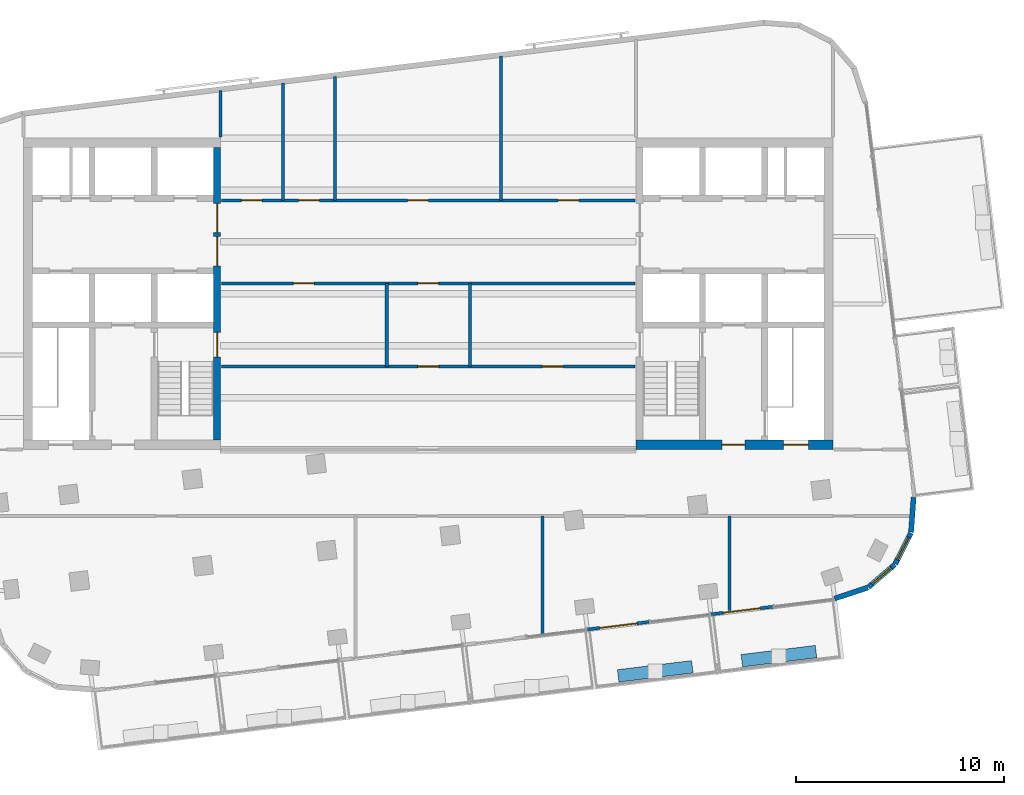
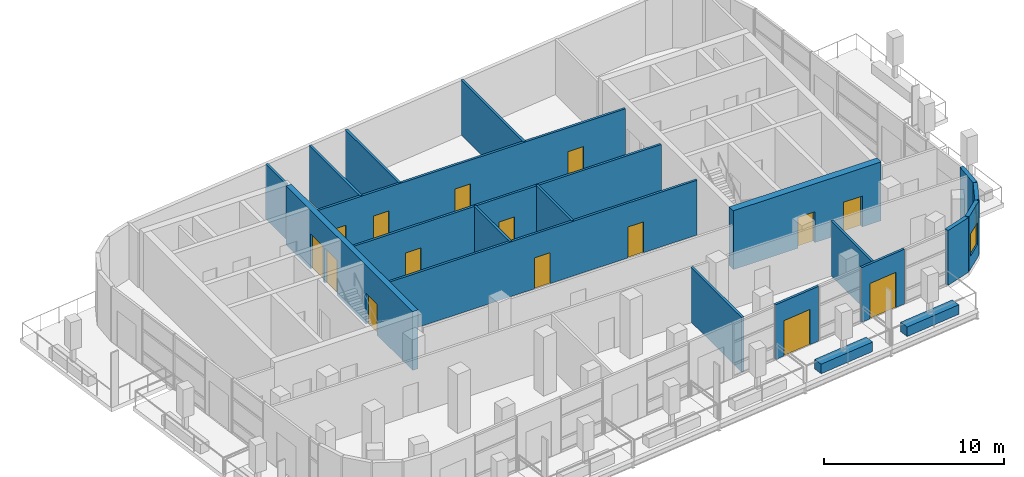
# One storey, part 8 of 13: 21 walls, 15 doors, 2 windows, 17 openings.
"""IFC4 building model written with IfcOpenShell, lengths in metres."""

from ifc_helpers import new_model, si_unit, direction, frame, frame_2d, origin, place, context, subcontext, project, spatial, rectangle, extrude, material, layer, layer_set, type_object, element, fill, save


model = new_model("IFC4")

# Units and contexts
model_context = context("Model", 3, precision=1e-05, world=origin(), true_north=direction((0.0, 1.0)))
body_context = subcontext(model_context, "Body", "Model", "MODEL_VIEW")
ifc_project = project(units=[si_unit("LENGTHUNIT", "METRE"), si_unit("AREAUNIT", "SQUARE_METRE"), si_unit("VOLUMEUNIT", "CUBIC_METRE"), si_unit("PLANEANGLEUNIT", "RADIAN"), si_unit("MASSUNIT", "GRAM", prefix="KILO")], contexts=[model_context])

# Site, building, storey
site_placement = place(None, origin())
site = spatial("IfcSite", under=ifc_project, at=site_placement, CompositionType="ELEMENT")
building_placement = place(site_placement, origin())
building = spatial("IfcBuilding", under=site, at=building_placement, Name="Torana Hotel and Residences", CompositionType="ELEMENT")
storey_placement = place(building_placement, frame((0.0, 0.0, 342.60009765625)))
storey = spatial("IfcBuildingStorey", under=building, at=storey_placement, Name="L90", CompositionType="ELEMENT", Elevation=342.60009765625)

# Wall, openings, doors
ifc_material_1 = material(Name="Concrete C60/75", Category="concrete")
ifc_layer_1 = layer(ifc_material_1, 0.35009765625)
ifc_layer_set_1 = layer_set([ifc_layer_1], Name="CORE WALL 350 C60/75")
wall_type_1 = type_object("IfcWallType", Name="CORE WALL 350 C60/75", PredefinedType="SHEAR", material=ifc_layer_set_1)
wall_1_placement = place(storey_placement, frame((-10.175048828125, -14.550048828125, 0.0), z_axis=(0.0, 0.0, 1.0), x_axis=(0.0, 1.0, 0.0)))
wall_1 = element("IfcWall", 1, at=wall_1_placement, inside=storey, type_object=wall_type_1, Name="Core wall W arch", PredefinedType="SHEAR", context=body_context, shape_type="SweptSolid", body=[
    extrude(rectangle(XDim=14.10009765625, YDim=0.35009765625, at=frame_2d((7.050048828125, 0.0))), origin(), (0.0, 0.0, 1.0), 4.0),
])
opening_1_placement = place(wall_1_placement, frame((8.39990234375, 0.0, 0.0)))
opening_1 = element("IfcOpeningElement", 2, at=opening_1_placement, cuts=wall_1, Name="Opening L90-01", PredefinedType="OPENING", context=body_context, shape_type="SweptSolid", body=[
    extrude(rectangle(XDim=1.39990234375, YDim=2.39990234375, at=frame_2d((0.699951171875, 1.199951171875))), frame((0.0, 0.18505859375, 0.0), z_axis=(0.0, -1.0, 0.0), x_axis=(1.0, 0.0, 0.0)), (0.0, 0.0, 1.0), 0.3701171875),
])
opening_2_placement = place(wall_1_placement, frame((10.0, 0.0, 0.0)))
opening_2 = element("IfcOpeningElement", 3, at=opening_2_placement, cuts=wall_1, Name="Opening L90-02", PredefinedType="OPENING", context=body_context, shape_type="SweptSolid", body=[
    extrude(rectangle(XDim=1.39990234375, YDim=2.39990234375, at=frame_2d((0.699951171875, 1.199951171875))), frame((0.0, 0.18505859375, 0.0), z_axis=(0.0, -1.0, 0.0), x_axis=(1.0, 0.0, 0.0)), (0.0, 0.0, 1.0), 0.3701171875),
])
opening_3_placement = place(wall_1_placement, frame((4.0, 0.0, 0.0)))
opening_3 = element("IfcOpeningElement", 4, at=opening_3_placement, cuts=wall_1, Name="Opening L90-03", PredefinedType="OPENING", context=body_context, shape_type="SweptSolid", body=[
    extrude(rectangle(XDim=1.199951171875, YDim=2.10009765625, at=frame_2d((0.60009765625, 1.050048828125))), frame((0.0, 0.18505859375, 0.0), z_axis=(0.0, -1.0, 0.0), x_axis=(1.0, 0.0, 0.0)), (0.0, 0.0, 1.0), 0.3701171875),
])
ifc_material_2 = material(Name="Steel S235", Category="steel")
door_type_1 = type_object("IfcDoorType", Name="LOBBY FIRE DOOR D4 1400x2400", OperationType="DOUBLE_DOOR_SINGLE_SWING", PredefinedType="DOOR", material=ifc_material_2)
door_1_placement = place(opening_1_placement, origin())
door_1 = element("IfcDoor", 5, at=door_1_placement, inside=storey, type_object=door_type_1, Name="Lobby-1 door L90", OperationType="DOUBLE_DOOR_SINGLE_SWING", OverallHeight=2.39990234375, OverallWidth=1.39990234375, PredefinedType="DOOR", context=body_context, shape_type="SweptSolid", body=[
    extrude(rectangle(XDim=1.39990234375, YDim=2.39990234375, at=frame_2d((0.699951171875, 1.199951171875))), frame((0.0, 0.02490234375, 0.0), z_axis=(0.0, -1.0, 0.0), x_axis=(1.0, 0.0, 0.0)), (0.0, 0.0, 1.0), 0.050048828125),
])
fill(opening_1, door_1)
door_2_placement = place(opening_2_placement, origin())
door_2 = element("IfcDoor", 6, at=door_2_placement, inside=storey, type_object=door_type_1, Name="Lobby-2 door L90", OperationType="DOUBLE_DOOR_SINGLE_SWING", OverallHeight=2.39990234375, OverallWidth=1.39990234375, PredefinedType="DOOR", context=body_context, shape_type="SweptSolid", body=[
    extrude(rectangle(XDim=1.39990234375, YDim=2.39990234375, at=frame_2d((0.699951171875, 1.199951171875))), frame((0.0, 0.02490234375, 0.0), z_axis=(0.0, -1.0, 0.0), x_axis=(1.0, 0.0, 0.0)), (0.0, 0.0, 1.0), 0.050048828125),
])
fill(opening_2, door_2)
ifc_material_3 = material(Name="Steel S235", Category="steel")
door_type_2 = type_object("IfcDoorType", Name="STAIR FIRE DOOR D3 1200x2100", OperationType="SINGLE_SWING_LEFT", PredefinedType="DOOR", material=ifc_material_3)
door_3_placement = place(opening_3_placement, origin())
door_3 = element("IfcDoor", 7, at=door_3_placement, inside=storey, type_object=door_type_2, Name="Stair-A door L90", OperationType="SINGLE_SWING_LEFT", OverallHeight=2.10009765625, OverallWidth=1.199951171875, PredefinedType="DOOR", context=body_context, shape_type="SweptSolid", body=[
    extrude(rectangle(XDim=1.199951171875, YDim=2.10009765625, at=frame_2d((0.60009765625, 1.050048828125))), frame((0.0, 0.02490234375, 0.0), z_axis=(0.0, -1.0, 0.0), x_axis=(1.0, 0.0, 0.0)), (0.0, 0.0, 1.0), 0.050048828125),
])
fill(opening_3, door_3)

ifc_material_4 = material(Name="Concrete C60/75", Category="concrete")
ifc_layer_2 = layer(ifc_material_4, 0.449951171875)
ifc_layer_set_2 = layer_set([ifc_layer_2], Name="CORE WALL 450 C60/75")
wall_type_2 = type_object("IfcWallType", Name="CORE WALL 450 C60/75", PredefinedType="SHEAR", material=ifc_layer_set_2)
wall_2_placement = place(storey_placement, frame((10.0, -14.77490234375, 0.0), z_axis=(0.0, 0.0, 1.0), x_axis=(1.0, 0.0, 0.0)))
wall_2 = element("IfcWall", 8, at=wall_2_placement, inside=storey, type_object=wall_type_2, Name="Core wall E front", PredefinedType="SHEAR", context=body_context, shape_type="SweptSolid", body=[
    extrude(rectangle(XDim=9.5, YDim=0.449951171875, at=frame_2d((4.75, 0.0))), origin(), (0.0, 0.0, 1.0), 4.0),
])
opening_4_placement = place(wall_2_placement, frame((7.10009765625, 0.0, 0.0)))
opening_4 = element("IfcOpeningElement", 9, at=opening_4_placement, cuts=wall_2, Name="Opening L90-13", PredefinedType="OPENING", context=body_context, shape_type="SweptSolid", body=[
    extrude(rectangle(XDim=1.199951171875, YDim=2.10009765625, at=frame_2d((0.60009765625, 1.050048828125))), frame((0.0, 0.23486328125, 0.0), z_axis=(0.0, -1.0, 0.0), x_axis=(1.0, 0.0, 0.0)), (0.0, 0.0, 1.0), 0.469970703125),
])
opening_5_placement = place(wall_2_placement, frame((4.14990234375, 0.0, 0.0)))
opening_5 = element("IfcOpeningElement", 10, at=opening_5_placement, cuts=wall_2, Name="Opening L90-14", PredefinedType="OPENING", context=body_context, shape_type="SweptSolid", body=[
    extrude(rectangle(XDim=1.10009765625, YDim=2.10009765625, at=frame_2d((0.550048828125, 1.050048828125))), frame((0.0, 0.23486328125, 0.0), z_axis=(0.0, -1.0, 0.0), x_axis=(1.0, 0.0, 0.0)), (0.0, 0.0, 1.0), 0.469970703125),
])
ifc_material_5 = material(Name="Steel S235", Category="steel")
door_type_3 = type_object("IfcDoorType", Name="FIRE-FIGHTING LOBBY DOOR D8 1100x2100", OperationType="SINGLE_SWING_LEFT", PredefinedType="DOOR", material=ifc_material_5)
door_4_placement = place(opening_5_placement, origin())
door_4 = element("IfcDoor", 11, at=door_4_placement, inside=storey, type_object=door_type_3, Name="FF-lobby door L90", OperationType="SINGLE_SWING_RIGHT", OverallHeight=2.10009765625, OverallWidth=1.10009765625, PredefinedType="DOOR", context=body_context, shape_type="SweptSolid", body=[
    extrude(rectangle(XDim=1.10009765625, YDim=2.10009765625, at=frame_2d((0.550048828125, 1.050048828125))), frame((0.0, 0.02490234375, 0.0), z_axis=(0.0, -1.0, 0.0), x_axis=(1.0, 0.0, 0.0)), (0.0, 0.0, 1.0), 0.050048828125),
])
fill(opening_5, door_4)
door_5_placement = place(opening_4_placement, origin())
door_5 = element("IfcDoor", 12, at=door_5_placement, inside=storey, type_object=door_type_2, Name="Stair-B door L90", OperationType="SINGLE_SWING_RIGHT", OverallHeight=2.10009765625, OverallWidth=1.199951171875, PredefinedType="DOOR", context=body_context, shape_type="SweptSolid", body=[
    extrude(rectangle(XDim=1.199951171875, YDim=2.10009765625, at=frame_2d((0.60009765625, 1.050048828125))), frame((0.0, 0.02490234375, 0.0), z_axis=(0.0, -1.0, 0.0), x_axis=(1.0, 0.0, 0.0)), (0.0, 0.0, 1.0), 0.050048828125),
])
fill(opening_4, door_5)

# Wall
ifc_material_6 = material(Name="Black aluminium composite panel", Category="aluminium")
ifc_layer_3 = layer(ifc_material_6, 0.00390625, Name="Cladding", Category="cladding")
ifc_material_7 = material(Name="Ventilated air cavity")
ifc_layer_4 = layer(ifc_material_7, 0.0400390625, Name="Ventilated cavity", Category="cavity")
ifc_material_8 = material(Name="Mineral wool insulation")
ifc_layer_5 = layer(ifc_material_8, 0.090087890625, Name="Insulation", Category="insulation")
ifc_material_9 = material(Name="Steel S280GD", Category="steel")
ifc_layer_6 = layer(ifc_material_9, 0.092041015625, Name="Steel stud frame", Category="structure")
ifc_material_10 = material(Name="Fire rated plasterboard")
ifc_layer_7 = layer(ifc_material_10, 0.011962890625, Name="Inner board", Category="finish")
ifc_layer_8 = layer(ifc_material_10, 0.011962890625, Name="Second board", Category="finish")
ifc_layer_set_3 = layer_set([ifc_layer_3, ifc_layer_4, ifc_layer_5, ifc_layer_6, ifc_layer_7, ifc_layer_8], Name="EW1 EXTERNAL WALL BLACK METAL CLAD 250")
wall_type_3 = type_object("IfcWallType", Name="EW1 EXTERNAL WALL BLACK METAL CLAD 250", PredefinedType="SOLIDWALL", material=ifc_layer_set_3)
wall_3_placement = place(storey_placement, frame((19.568359375, -22.1748046875, 0.0), z_axis=(0.0, 0.0, 1.0), x_axis=(0.949694735798, 0.313177120489, 0.0)))
element("IfcWall", 13, at=wall_3_placement, inside=storey, type_object=wall_type_3, Name="External wall L90 e0.15", PredefinedType="SOLIDWALL", context=body_context, shape_type="SweptSolid", body=[
    extrude(rectangle(XDim=1.681396484375, YDim=0.25, at=frame_2d((0.8408203125, 0.0))), origin(), (0.0, 0.0, 1.0), 3.719970703125),
])

# Wall, opening, window
wall_4_placement = place(storey_placement, frame((21.207763671875, -21.624267578125, 0.0), z_axis=(0.0, 0.0, 1.0), x_axis=(0.757568315466, 0.652755886531, 0.0)))
wall_4 = element("IfcWall", 14, at=wall_4_placement, inside=storey, type_object=wall_type_3, Name="External wall L90 e0.16", PredefinedType="SOLIDWALL", context=body_context, shape_type="SweptSolid", body=[
    extrude(rectangle(XDim=1.65625, YDim=0.25, at=frame_2d((0.828125, 0.0))), origin(), (0.0, 0.0, 1.0), 3.719970703125),
])
opening_6_placement = place(wall_4_placement, frame((0.228271484375, 0.0, 0.89990234375)))
opening_6 = element("IfcOpeningElement", 15, at=opening_6_placement, cuts=wall_4, Name="Opening W5", PredefinedType="OPENING", context=body_context, shape_type="SweptSolid", body=[
    extrude(rectangle(XDim=1.199951171875, YDim=1.5, at=frame_2d((0.60009765625, 0.75))), frame((0.0, 0.135009765625, 0.0), z_axis=(0.0, -1.0, 0.0), x_axis=(1.0, 0.0, 0.0)), (0.0, 0.0, 1.0), 0.27001953125),
])
ifc_material_11 = material(Name="Dark glass in black aluminium frame", Category="aluminium")
window_type = type_object("IfcWindowType", Name="W5 CORNER FACET WINDOW 1200x1500", PartitioningType="SINGLE_PANEL", PredefinedType="WINDOW", material=ifc_material_11)
window_1_placement = place(opening_6_placement, origin())
window_1 = element("IfcWindow", 16, at=window_1_placement, inside=storey, type_object=window_type, Name="Window L90 e0.16", OverallHeight=1.5, OverallWidth=1.199951171875, PartitioningType="SINGLE_PANEL", PredefinedType="WINDOW", context=body_context, shape_type="SweptSolid", body=[
    extrude(rectangle(XDim=1.199951171875, YDim=1.5, at=frame_2d((0.60009765625, 0.75))), frame((0.0, 0.030029296875, 0.0), z_axis=(0.0, -1.0, 0.0), x_axis=(1.0, 0.0, 0.0)), (0.0, 0.0, 1.0), 0.06005859375),
])
fill(opening_6, window_1)

wall_5_placement = place(storey_placement, frame((22.49267578125, -20.504638671875, 0.0), z_axis=(0.0, 0.0, 1.0), x_axis=(0.449982385812, 0.893037430604, 0.0)))
wall_5 = element("IfcWall", 17, at=wall_5_placement, inside=storey, type_object=wall_type_3, Name="External wall L90 e0.17", PredefinedType="SOLIDWALL", context=body_context, shape_type="SweptSolid", body=[
    extrude(rectangle(XDim=1.656494140625, YDim=0.25, at=frame_2d((0.828125, 0.0))), origin(), (0.0, 0.0, 1.0), 3.719970703125),
])
opening_7_placement = place(wall_5_placement, frame((0.228271484375, 0.0, 0.89990234375)))
opening_7 = element("IfcOpeningElement", 18, at=opening_7_placement, cuts=wall_5, Name="Opening W5", PredefinedType="OPENING", context=body_context, shape_type="SweptSolid", body=[
    extrude(rectangle(XDim=1.199951171875, YDim=1.5, at=frame_2d((0.60009765625, 0.75))), frame((0.0, 0.135009765625, 0.0), z_axis=(0.0, -1.0, 0.0), x_axis=(1.0, 0.0, 0.0)), (0.0, 0.0, 1.0), 0.27001953125),
])
window_2_placement = place(opening_7_placement, origin())
window_2 = element("IfcWindow", 19, at=window_2_placement, inside=storey, type_object=window_type, Name="Window L90 e0.17", OverallHeight=1.5, OverallWidth=1.199951171875, PartitioningType="SINGLE_PANEL", PredefinedType="WINDOW", context=body_context, shape_type="SweptSolid", body=[
    extrude(rectangle(XDim=1.199951171875, YDim=1.5, at=frame_2d((0.60009765625, 0.75))), frame((0.0, 0.030029296875, 0.0), z_axis=(0.0, -1.0, 0.0), x_axis=(1.0, 0.0, 0.0)), (0.0, 0.0, 1.0), 0.06005859375),
])
fill(opening_7, window_2)

# Walls
wall_6_placement = place(storey_placement, frame((23.251220703125, -18.978515625, 0.0), z_axis=(0.0, 0.0, 1.0), x_axis=(0.074053534713, 0.997254267475, 0.0)))
element("IfcWall", 20, at=wall_6_placement, inside=storey, type_object=wall_type_3, Name="External wall L90 e0.18", PredefinedType="SOLIDWALL", context=body_context, shape_type="SweptSolid", body=[
    extrude(rectangle(XDim=1.681396484375, YDim=0.25, at=frame_2d((0.8408203125, 0.0))), origin(), (0.0, 0.0, 1.0), 3.719970703125),
])
ifc_material_12 = material(Name="Gypsum plaster")
ifc_layer_9 = layer(ifc_material_12, 0.014892578125, Name="Plaster", Category="finish")
ifc_material_13 = material(Name="Concrete blockwork", Category="masonry")
ifc_layer_10 = layer(ifc_material_13, 0.1201171875, Name="Blockwork", Category="structure")
ifc_layer_11 = layer(ifc_material_12, 0.014892578125, Name="Plaster", Category="finish")
ifc_layer_set_4 = layer_set([ifc_layer_9, ifc_layer_10, ifc_layer_11], Name="FIRE PARTITION 150 BLOCKWORK")
wall_type_4 = type_object("IfcWallType", Name="FIRE PARTITION 150 BLOCKWORK", PredefinedType="PARTITIONING", material=ifc_layer_set_4)
for number, where, z_axis, x_axis, name in (
    (21, (2.0, -11.0, 0.0), (0.0, 0.0, 1.0), (0.0, 1.0, 0.0), "Partition L90"),
    (22, (-2.0, -11.0, 0.0), (0.0, 0.0, 1.0), (0.0, 1.0, 0.0), "Partition L90"),
):
    element("IfcWall", number, at=place(storey_placement, frame(where, z_axis=z_axis, x_axis=x_axis)), inside=storey, type_object=wall_type_4, Name=name, PredefinedType="PARTITIONING", context=body_context, shape_type="SweptSolid", body=[
        extrude(rectangle(XDim=4.0, YDim=0.14990234375, at=frame_2d((2.0, 0.0))), origin(), (0.0, 0.0, 1.0), 3.719970703125),
    ])

# Wall, openings, doors
wall_7_placement = place(storey_placement, frame((-9.949951171875, -11.0, 0.0), z_axis=(0.0, 0.0, 1.0), x_axis=(1.0, 0.0, 0.0)))
wall_7 = element("IfcWall", 23, at=wall_7_placement, inside=storey, type_object=wall_type_4, Name="Partition L90", PredefinedType="PARTITIONING", context=body_context, shape_type="SweptSolid", body=[
    extrude(rectangle(XDim=19.89990234375, YDim=0.14990234375, at=frame_2d((9.949951171875, 0.0))), origin(), (0.0, 0.0, 1.0), 3.719970703125),
])
opening_8_placement = place(wall_7_placement, frame((9.449951171875, 0.0, 0.0)))
opening_8 = element("IfcOpeningElement", 24, at=opening_8_placement, cuts=wall_7, Name="Opening L90-26", PredefinedType="OPENING", context=body_context, shape_type="SweptSolid", body=[
    extrude(rectangle(XDim=1.0, YDim=2.10009765625, at=frame_2d((0.5, 1.050048828125))), frame((0.0, 0.0849609375, 0.0), z_axis=(0.0, -1.0, 0.0), x_axis=(1.0, 0.0, 0.0)), (0.0, 0.0, 1.0), 0.169921875),
])
opening_9_placement = place(wall_7_placement, frame((15.449951171875, 0.0, 0.0)))
opening_9 = element("IfcOpeningElement", 25, at=opening_9_placement, cuts=wall_7, Name="Opening L90-27", PredefinedType="OPENING", context=body_context, shape_type="SweptSolid", body=[
    extrude(rectangle(XDim=1.0, YDim=2.10009765625, at=frame_2d((0.5, 1.050048828125))), frame((0.0, 0.0849609375, 0.0), z_axis=(0.0, -1.0, 0.0), x_axis=(1.0, 0.0, 0.0)), (0.0, 0.0, 1.0), 0.169921875),
])
ifc_material_14 = material(Name="Steel S235", Category="steel")
door_type_4 = type_object("IfcDoorType", Name="ENTRY FIRE DOOR D6 1000x2100", OperationType="SINGLE_SWING_LEFT", PredefinedType="DOOR", material=ifc_material_14)
door_6_placement = place(opening_8_placement, origin())
door_6 = element("IfcDoor", 26, at=door_6_placement, inside=storey, type_object=door_type_4, Name="Door L90", OperationType="SINGLE_SWING_RIGHT", OverallHeight=2.10009765625, OverallWidth=1.0, PredefinedType="DOOR", context=body_context, shape_type="SweptSolid", body=[
    extrude(rectangle(XDim=1.0, YDim=2.10009765625, at=frame_2d((0.5, 1.050048828125))), frame((0.0, 0.02490234375, 0.0), z_axis=(0.0, -1.0, 0.0), x_axis=(1.0, 0.0, 0.0)), (0.0, 0.0, 1.0), 0.050048828125),
])
fill(opening_8, door_6)
door_7_placement = place(opening_9_placement, origin())
door_7 = element("IfcDoor", 27, at=door_7_placement, inside=storey, type_object=door_type_4, Name="Door L90", OperationType="SINGLE_SWING_RIGHT", OverallHeight=2.10009765625, OverallWidth=1.0, PredefinedType="DOOR", context=body_context, shape_type="SweptSolid", body=[
    extrude(rectangle(XDim=1.0, YDim=2.10009765625, at=frame_2d((0.5, 1.050048828125))), frame((0.0, 0.02490234375, 0.0), z_axis=(0.0, -1.0, 0.0), x_axis=(1.0, 0.0, 0.0)), (0.0, 0.0, 1.0), 0.050048828125),
])
fill(opening_9, door_7)

wall_8_placement = place(storey_placement, frame((-9.949951171875, -7.0, 0.0), z_axis=(0.0, 0.0, 1.0), x_axis=(1.0, 0.0, 0.0)))
wall_8 = element("IfcWall", 28, at=wall_8_placement, inside=storey, type_object=wall_type_4, Name="Partition L90", PredefinedType="PARTITIONING", context=body_context, shape_type="SweptSolid", body=[
    extrude(rectangle(XDim=19.89990234375, YDim=0.14990234375, at=frame_2d((9.949951171875, 0.0))), origin(), (0.0, 0.0, 1.0), 3.719970703125),
])
opening_10_placement = place(wall_8_placement, frame((9.449951171875, 0.0, 0.0)))
opening_10 = element("IfcOpeningElement", 29, at=opening_10_placement, cuts=wall_8, Name="Opening L90-28", PredefinedType="OPENING", context=body_context, shape_type="SweptSolid", body=[
    extrude(rectangle(XDim=1.0, YDim=2.10009765625, at=frame_2d((0.5, 1.050048828125))), frame((0.0, 0.0849609375, 0.0), z_axis=(0.0, -1.0, 0.0), x_axis=(1.0, 0.0, 0.0)), (0.0, 0.0, 1.0), 0.169921875),
])
opening_11_placement = place(wall_8_placement, frame((3.449951171875, 0.0, 0.0)))
opening_11 = element("IfcOpeningElement", 30, at=opening_11_placement, cuts=wall_8, Name="Opening L90-29", PredefinedType="OPENING", context=body_context, shape_type="SweptSolid", body=[
    extrude(rectangle(XDim=1.0, YDim=2.10009765625, at=frame_2d((0.5, 1.050048828125))), frame((0.0, 0.0849609375, 0.0), z_axis=(0.0, -1.0, 0.0), x_axis=(1.0, 0.0, 0.0)), (0.0, 0.0, 1.0), 0.169921875),
])
door_8_placement = place(opening_10_placement, origin())
door_8 = element("IfcDoor", 31, at=door_8_placement, inside=storey, type_object=door_type_4, Name="Door L90", OperationType="SINGLE_SWING_RIGHT", OverallHeight=2.10009765625, OverallWidth=1.0, PredefinedType="DOOR", context=body_context, shape_type="SweptSolid", body=[
    extrude(rectangle(XDim=1.0, YDim=2.10009765625, at=frame_2d((0.5, 1.050048828125))), frame((0.0, 0.02490234375, 0.0), z_axis=(0.0, -1.0, 0.0), x_axis=(1.0, 0.0, 0.0)), (0.0, 0.0, 1.0), 0.050048828125),
])
fill(opening_10, door_8)
door_9_placement = place(opening_11_placement, frame((0.5, 0.0, 0.0), z_axis=(0.0, 0.0, 1.0), x_axis=(-1.0, 0.0, 0.0)))
door_9 = element("IfcDoor", 32, at=door_9_placement, inside=storey, type_object=door_type_4, Name="Door L90", OperationType="SINGLE_SWING_LEFT", OverallHeight=2.10009765625, OverallWidth=1.0, PredefinedType="DOOR", context=body_context, shape_type="SweptSolid", body=[
    extrude(rectangle(XDim=1.0, YDim=2.10009765625, at=frame_2d((0.0, 1.050048828125))), frame((0.0, -0.02490234375, 0.0), z_axis=(0.0, 1.0, 0.0), x_axis=(-1.0, 0.0, 0.0)), (0.0, 0.0, 1.0), 0.050048828125),
])
fill(opening_11, door_9)

wall_9_placement = place(storey_placement, frame((-9.949951171875, -3.0, 0.0), z_axis=(0.0, 0.0, 1.0), x_axis=(1.0, 0.0, 0.0)))
wall_9 = element("IfcWall", 33, at=wall_9_placement, inside=storey, type_object=wall_type_4, Name="Partition L90", PredefinedType="PARTITIONING", context=body_context, shape_type="SweptSolid", body=[
    extrude(rectangle(XDim=19.89990234375, YDim=0.14990234375, at=frame_2d((9.949951171875, 0.0))), origin(), (0.0, 0.0, 1.0), 3.719970703125),
])
opening_12_placement = place(wall_9_placement, frame((0.949951171875, 0.0, 0.0)))
opening_12 = element("IfcOpeningElement", 34, at=opening_12_placement, cuts=wall_9, Name="Opening L90-30", PredefinedType="OPENING", context=body_context, shape_type="SweptSolid", body=[
    extrude(rectangle(XDim=1.0, YDim=2.10009765625, at=frame_2d((0.5, 1.050048828125))), frame((0.0, 0.0849609375, 0.0), z_axis=(0.0, -1.0, 0.0), x_axis=(1.0, 0.0, 0.0)), (0.0, 0.0, 1.0), 0.169921875),
])
opening_13_placement = place(wall_9_placement, frame((3.699951171875, 0.0, 0.0)))
opening_13 = element("IfcOpeningElement", 35, at=opening_13_placement, cuts=wall_9, Name="Opening L90-31", PredefinedType="OPENING", context=body_context, shape_type="SweptSolid", body=[
    extrude(rectangle(XDim=1.0, YDim=2.10009765625, at=frame_2d((0.5, 1.050048828125))), frame((0.0, 0.0849609375, 0.0), z_axis=(0.0, -1.0, 0.0), x_axis=(1.0, 0.0, 0.0)), (0.0, 0.0, 1.0), 0.169921875),
])
opening_14_placement = place(wall_9_placement, frame((8.949951171875, 0.0, 0.0)))
opening_14 = element("IfcOpeningElement", 36, at=opening_14_placement, cuts=wall_9, Name="Opening L90-32", PredefinedType="OPENING", context=body_context, shape_type="SweptSolid", body=[
    extrude(rectangle(XDim=1.0, YDim=2.10009765625, at=frame_2d((0.5, 1.050048828125))), frame((0.0, 0.0849609375, 0.0), z_axis=(0.0, -1.0, 0.0), x_axis=(1.0, 0.0, 0.0)), (0.0, 0.0, 1.0), 0.169921875),
])
opening_15_placement = place(wall_9_placement, frame((16.199951171875, 0.0, 0.0)))
opening_15 = element("IfcOpeningElement", 37, at=opening_15_placement, cuts=wall_9, Name="Opening L90-33", PredefinedType="OPENING", context=body_context, shape_type="SweptSolid", body=[
    extrude(rectangle(XDim=1.0, YDim=2.10009765625, at=frame_2d((0.5, 1.050048828125))), frame((0.0, 0.0849609375, 0.0), z_axis=(0.0, -1.0, 0.0), x_axis=(1.0, 0.0, 0.0)), (0.0, 0.0, 1.0), 0.169921875),
])
door_10_placement = place(opening_12_placement, origin())
door_10 = element("IfcDoor", 38, at=door_10_placement, inside=storey, type_object=door_type_4, Name="Door L90", OperationType="SINGLE_SWING_RIGHT", OverallHeight=2.10009765625, OverallWidth=1.0, PredefinedType="DOOR", context=body_context, shape_type="SweptSolid", body=[
    extrude(rectangle(XDim=1.0, YDim=2.10009765625, at=frame_2d((0.5, 1.050048828125))), frame((0.0, 0.02490234375, 0.0), z_axis=(0.0, -1.0, 0.0), x_axis=(1.0, 0.0, 0.0)), (0.0, 0.0, 1.0), 0.050048828125),
])
fill(opening_12, door_10)
door_11_placement = place(opening_13_placement, origin())
door_11 = element("IfcDoor", 39, at=door_11_placement, inside=storey, type_object=door_type_4, Name="Door L90", OperationType="SINGLE_SWING_RIGHT", OverallHeight=2.10009765625, OverallWidth=1.0, PredefinedType="DOOR", context=body_context, shape_type="SweptSolid", body=[
    extrude(rectangle(XDim=1.0, YDim=2.10009765625, at=frame_2d((0.5, 1.050048828125))), frame((0.0, 0.02490234375, 0.0), z_axis=(0.0, -1.0, 0.0), x_axis=(1.0, 0.0, 0.0)), (0.0, 0.0, 1.0), 0.050048828125),
])
fill(opening_13, door_11)
door_12_placement = place(opening_14_placement, origin())
door_12 = element("IfcDoor", 40, at=door_12_placement, inside=storey, type_object=door_type_4, Name="Door L90", OperationType="SINGLE_SWING_RIGHT", OverallHeight=2.10009765625, OverallWidth=1.0, PredefinedType="DOOR", context=body_context, shape_type="SweptSolid", body=[
    extrude(rectangle(XDim=1.0, YDim=2.10009765625, at=frame_2d((0.5, 1.050048828125))), frame((0.0, 0.02490234375, 0.0), z_axis=(0.0, -1.0, 0.0), x_axis=(1.0, 0.0, 0.0)), (0.0, 0.0, 1.0), 0.050048828125),
])
fill(opening_14, door_12)
door_13_placement = place(opening_15_placement, origin())
door_13 = element("IfcDoor", 41, at=door_13_placement, inside=storey, type_object=door_type_4, Name="Door L90", OperationType="SINGLE_SWING_RIGHT", OverallHeight=2.10009765625, OverallWidth=1.0, PredefinedType="DOOR", context=body_context, shape_type="SweptSolid", body=[
    extrude(rectangle(XDim=1.0, YDim=2.10009765625, at=frame_2d((0.5, 1.050048828125))), frame((0.0, 0.02490234375, 0.0), z_axis=(0.0, -1.0, 0.0), x_axis=(1.0, 0.0, 0.0)), (0.0, 0.0, 1.0), 0.050048828125),
])
fill(opening_15, door_13)

# Wall, opening, door
ifc_material_15 = material(Name="Dark glass screen in aluminium frame", Category="aluminium")
ifc_layer_12 = layer(ifc_material_15, 0.14990234375)
ifc_layer_set_5 = layer_set([ifc_layer_12], Name="GS1 GLAZED DOOR SCREEN 150")
wall_type_5 = type_object("IfcWallType", Name="GS1 GLAZED DOOR SCREEN 150", PredefinedType="USERDEFINED", material=ifc_layer_set_5)
wall_10_placement = place(storey_placement, frame((7.661376953125, -23.664306640625, 0.0), z_axis=(0.0, 0.0, 1.0), x_axis=(0.992552088886, 0.121820978688, 0.0)))
wall_10 = element("IfcWall", 42, at=wall_10_placement, inside=storey, type_object=wall_type_5, Name="Glazed door screen L90", ObjectType="GLAZED SCREEN", PredefinedType="USERDEFINED", context=body_context, shape_type="SweptSolid", body=[
    extrude(rectangle(XDim=3.000244140625, YDim=0.14990234375, at=frame_2d((1.5, 0.0))), origin(), (0.0, 0.0, 1.0), 3.719970703125),
])
opening_16_placement = place(wall_10_placement, frame((0.60009765625, 0.0, 0.0)))
opening_16 = element("IfcOpeningElement", 43, at=opening_16_placement, cuts=wall_10, Name="Opening L90-E08", PredefinedType="OPENING", context=body_context, shape_type="SweptSolid", body=[
    extrude(rectangle(XDim=1.800048828125, YDim=2.39990234375, at=frame_2d((0.89990234375, 1.199951171875))), frame((0.0, 0.0849609375, 0.0), z_axis=(0.0, -1.0, 0.0), x_axis=(1.0, 0.0, 0.0)), (0.0, 0.0, 1.0), 0.169921875),
])
ifc_material_16 = material(Name="Dark glass in black aluminium frame", Category="aluminium")
door_type_5 = type_object("IfcDoorType", Name="DB1 BALCONY DOOR 1800x2400", OperationType="DOUBLE_DOOR_SINGLE_SWING", PredefinedType="DOOR", material=ifc_material_16)
door_14_placement = place(opening_16_placement, origin())
door_14 = element("IfcDoor", 44, at=door_14_placement, inside=storey, type_object=door_type_5, Name="Balcony door L90", OperationType="DOUBLE_DOOR_SINGLE_SWING", OverallHeight=2.39990234375, OverallWidth=1.800048828125, PredefinedType="DOOR", context=body_context, shape_type="SweptSolid", body=[
    extrude(rectangle(XDim=1.800048828125, YDim=2.39990234375, at=frame_2d((0.89990234375, 1.199951171875))), frame((0.0, 0.02490234375, 0.0), z_axis=(0.0, -1.0, 0.0), x_axis=(1.0, 0.0, 0.0)), (0.0, 0.0, 1.0), 0.050048828125),
])
fill(opening_16, door_14)

wall_11_placement = place(storey_placement, frame((13.61669921875, -22.93310546875, 0.0), z_axis=(0.0, 0.0, 1.0), x_axis=(0.99255088108, 0.121830819037, 0.0)))
wall_11 = element("IfcWall", 45, at=wall_11_placement, inside=storey, type_object=wall_type_5, Name="Glazed door screen L90", ObjectType="GLAZED SCREEN", PredefinedType="USERDEFINED", context=body_context, shape_type="SweptSolid", body=[
    extrude(rectangle(XDim=3.0, YDim=0.14990234375, at=frame_2d((1.5, 0.0))), origin(), (0.0, 0.0, 1.0), 3.719970703125),
])
opening_17_placement = place(wall_11_placement, frame((0.60009765625, 0.0, 0.0)))
opening_17 = element("IfcOpeningElement", 46, at=opening_17_placement, cuts=wall_11, Name="Opening L90-E09", PredefinedType="OPENING", context=body_context, shape_type="SweptSolid", body=[
    extrude(rectangle(XDim=1.800048828125, YDim=2.39990234375, at=frame_2d((0.89990234375, 1.199951171875))), frame((0.0, 0.0849609375, 0.0), z_axis=(0.0, -1.0, 0.0), x_axis=(1.0, 0.0, 0.0)), (0.0, 0.0, 1.0), 0.169921875),
])
door_15_placement = place(opening_17_placement, origin())
door_15 = element("IfcDoor", 47, at=door_15_placement, inside=storey, type_object=door_type_5, Name="Balcony door L90", OperationType="DOUBLE_DOOR_SINGLE_SWING", OverallHeight=2.39990234375, OverallWidth=1.800048828125, PredefinedType="DOOR", context=body_context, shape_type="SweptSolid", body=[
    extrude(rectangle(XDim=1.800048828125, YDim=2.39990234375, at=frame_2d((0.89990234375, 1.199951171875))), frame((0.0, 0.02490234375, 0.0), z_axis=(0.0, -1.0, 0.0), x_axis=(1.0, 0.0, 0.0)), (0.0, 0.0, 1.0), 0.050048828125),
])
fill(opening_17, door_15)

# Walls
ifc_material_17 = material(Name="Gypsum plasterboard")
ifc_layer_13 = layer(ifc_material_17, 0.012451171875, Name="Plasterboard", Category="finish")
ifc_layer_14 = layer(ifc_material_17, 0.012451171875, Name="Plasterboard", Category="finish")
ifc_layer_15 = layer(ifc_material_9, 0.10009765625, Name="Steel studs with mineral wool", Category="insulation")
ifc_layer_16 = layer(ifc_material_17, 0.012451171875, Name="Plasterboard", Category="finish")
ifc_layer_17 = layer(ifc_material_17, 0.012451171875, Name="Plasterboard", Category="finish")
ifc_layer_set_6 = layer_set([ifc_layer_13, ifc_layer_14, ifc_layer_15, ifc_layer_16, ifc_layer_17], Name="PARTITION 150 PLASTERBOARD")
wall_type_6 = type_object("IfcWallType", Name="PARTITION 150 PLASTERBOARD", PredefinedType="PARTITIONING", material=ifc_layer_set_6)
wall_12_placement = place(storey_placement, frame((14.498046875, -22.744384765625, 0.0), z_axis=(0.0, 0.0, 1.0), x_axis=(0.0, 1.0, 0.0)))
element("IfcWall", 48, at=wall_12_placement, inside=storey, type_object=wall_type_6, Name="Partition L90", PredefinedType="PARTITIONING", context=body_context, shape_type="SweptSolid", body=[
    extrude(rectangle(XDim=4.54443359375, YDim=0.14990234375, at=frame_2d((2.272216796875, 0.0))), origin(), (0.0, 0.0, 1.0), 3.719970703125),
])
wall_13_placement = place(storey_placement, frame((5.498046875, -23.849609375, 0.0), z_axis=(0.0, 0.0, 1.0), x_axis=(0.0, 1.0, 0.0)))
element("IfcWall", 49, at=wall_13_placement, inside=storey, type_object=wall_type_6, Name="Partition L90", PredefinedType="PARTITIONING", context=body_context, shape_type="SweptSolid", body=[
    extrude(rectangle(XDim=5.649658203125, YDim=0.14990234375, at=frame_2d((2.82470703125, 0.0))), origin(), (0.0, 0.0, 1.0), 3.719970703125),
])
wall_14_placement = place(storey_placement, frame((3.5, -3.0, 0.0), z_axis=(0.0, 0.0, 1.0), x_axis=(0.0, 1.0, 0.0)))
element("IfcWall", 50, at=wall_14_placement, inside=storey, type_object=wall_type_6, Name="Partition L90", PredefinedType="PARTITIONING", context=body_context, shape_type="SweptSolid", body=[
    extrude(rectangle(XDim=6.954345703125, YDim=0.14990234375, at=frame_2d((3.47705078125, 0.0))), origin(), (0.0, 0.0, 1.0), 3.719970703125),
])
ifc_material_18 = material(Name="Concrete C40/50 precast", Category="concrete")
ifc_layer_18 = layer(ifc_material_18, 0.10009765625, Name="Planter shell", Category="structure")
ifc_material_19 = material(Name="Root resistant membrane")
ifc_layer_19 = layer(ifc_material_19, 0.00390625, Name="Waterproofing membrane", Category="membrane")
ifc_material_20 = material(Name="Drainage board with filter fleece")
ifc_layer_20 = layer(ifc_material_20, 0.02001953125, Name="Drainage board", Category="drainage")
ifc_material_21 = material(Name="Growing medium")
ifc_layer_21 = layer(ifc_material_21, 0.47607421875, Name="Planting substrate", Category="soil")
ifc_layer_set_7 = layer_set([ifc_layer_18, ifc_layer_19, ifc_layer_20, ifc_layer_21], Name="PL1 BALCONY PLANTER 600")
wall_type_7 = type_object("IfcWallType", Name="PL1 BALCONY PLANTER 600", PredefinedType="USERDEFINED", material=ifc_layer_set_7)
for number, where, z_axis, x_axis, name in (
    (51, (12.718017578125, -25.461669921875, 0.0), (0.0, 0.0, 1.0), (-0.992545758265, -0.121872547154, 0.0), "Planter 05"),
    (52, (18.67333984375, -24.73046875, 0.0), (0.0, 0.0, 1.0), (-0.992545758265, -0.121872547154, 0.0), "Planter 06"),
):
    element("IfcWall", number, at=place(storey_placement, frame(where, z_axis=z_axis, x_axis=x_axis)), inside=storey, type_object=wall_type_7, Name=name, ObjectType="PLANTER", PredefinedType="USERDEFINED", context=body_context, shape_type="SweptSolid", body=[
        extrude(rectangle(XDim=3.599853515625, YDim=0.60009765625, at=frame_2d((1.7998046875, 0.0))), origin(), (0.0, 0.0, 1.0), 0.64990234375),
    ])
ifc_material_22 = material(Name="Ceramic tile on adhesive")
ifc_layer_22 = layer(ifc_material_22, 0.010009765625, Name="Wall tile", Category="finish")
ifc_material_23 = material(Name="Cement render")
ifc_layer_23 = layer(ifc_material_23, 0.010009765625, Name="Render", Category="finish")
ifc_layer_24 = layer(ifc_material_13, 0.110107421875, Name="Blockwork", Category="structure")
ifc_layer_25 = layer(ifc_material_23, 0.010009765625, Name="Render", Category="finish")
ifc_layer_26 = layer(ifc_material_22, 0.010009765625, Name="Wall tile", Category="finish")
ifc_layer_set_8 = layer_set([ifc_layer_22, ifc_layer_23, ifc_layer_24, ifc_layer_25, ifc_layer_26], Name="WC PARTITION 150")
wall_type_8 = type_object("IfcWallType", Name="WC PARTITION 150", PredefinedType="PLUMBINGWALL", material=ifc_layer_set_8)
wall_15_placement = place(storey_placement, frame((-4.5, -3.0, 0.0), z_axis=(0.0, 0.0, 1.0), x_axis=(0.0, 1.0, 0.0)))
element("IfcWall", 53, at=wall_15_placement, inside=storey, type_object=wall_type_8, Name="Partition L90", PredefinedType="PLUMBINGWALL", context=body_context, shape_type="SweptSolid", body=[
    extrude(rectangle(XDim=5.971923828125, YDim=0.14990234375, at=frame_2d((2.98583984375, 0.0))), origin(), (0.0, 0.0, 1.0), 3.719970703125),
])
wall_16_placement = place(storey_placement, frame((-7.0, -3.0, 0.0), z_axis=(0.0, 0.0, 1.0), x_axis=(0.0, 1.0, 0.0)))
element("IfcWall", 54, at=wall_16_placement, inside=storey, type_object=wall_type_8, Name="Partition L90", PredefinedType="PLUMBINGWALL", context=body_context, shape_type="SweptSolid", body=[
    extrude(rectangle(XDim=5.6650390625, YDim=0.14990234375, at=frame_2d((2.83251953125, 0.0))), origin(), (0.0, 0.0, 1.0), 3.719970703125),
])
wall_17_placement = place(storey_placement, frame((-10.0, 0.050048828125, 0.0), z_axis=(0.0, 0.0, 1.0), x_axis=(0.0, 1.0, 0.0)))
element("IfcWall", 55, at=wall_17_placement, inside=storey, type_object=wall_type_8, Name="Partition L90", PredefinedType="PLUMBINGWALL", context=body_context, shape_type="SweptSolid", body=[
    extrude(rectangle(XDim=2.24658203125, YDim=0.14990234375, at=frame_2d((1.123291015625, 0.0))), origin(), (0.0, 0.0, 1.0), 3.719970703125),
])

save(model, "model.ifc")
